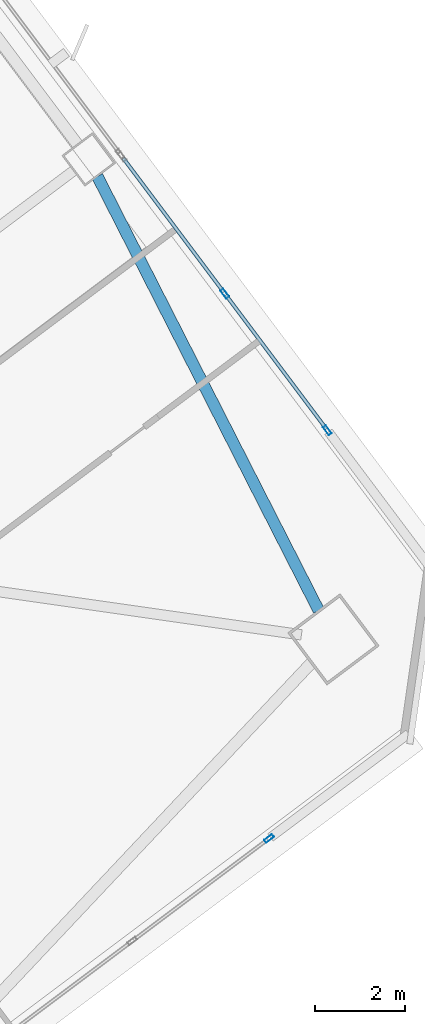
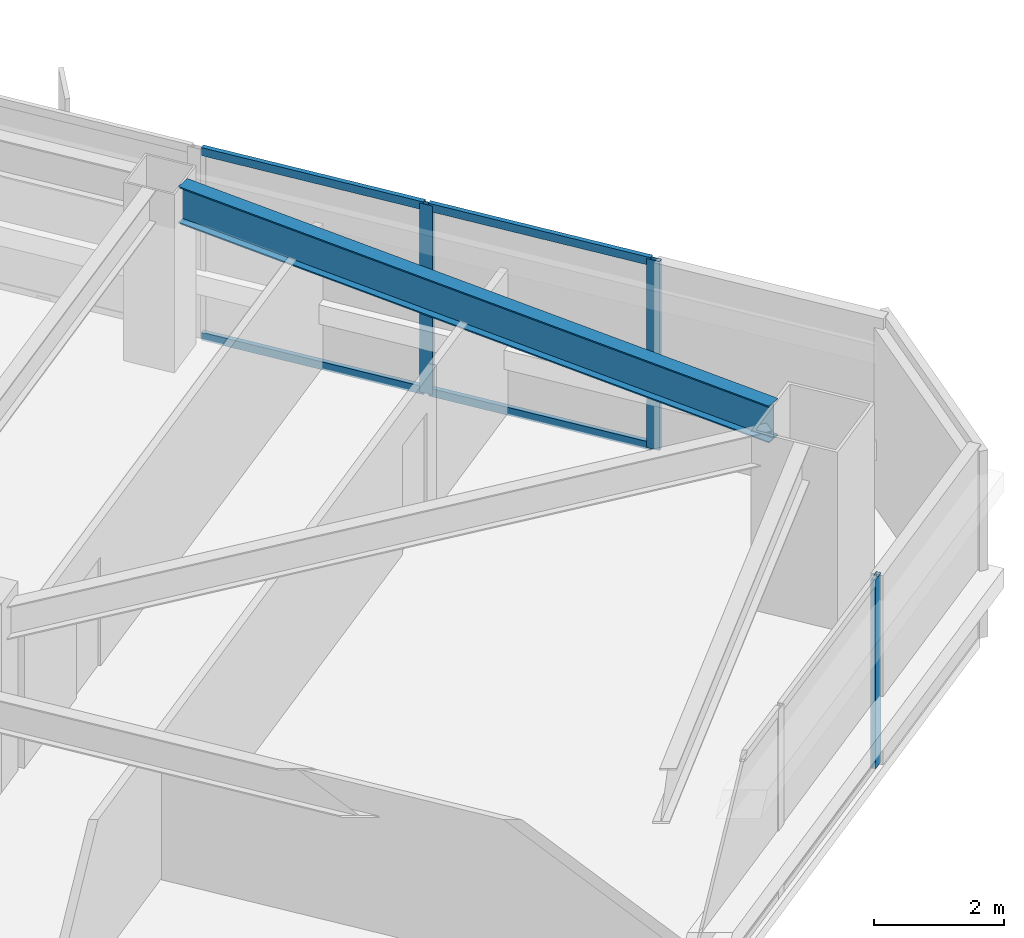
# One storey, part 28 of 49: 7 members, 1 beam, 2 elements without a shape of their own.
"""IFC4 building model written with IfcOpenShell, lengths in metres."""

from ifc_helpers import new_model, si_unit, direction, frame, origin, origin_2d, place, context, subcontext, project, spatial, hollow_rectangle, i_section, extrude, material, material_profile, profile_set, type_object, element, aggregate, save


model = new_model("IFC4")

# Units and contexts
model_context = context("Model", 3, precision=1e-05, world=origin(), true_north=direction((0.0, 1.0)))
body_context = subcontext(model_context, "Body", "Model", "MODEL_VIEW")
ifc_project = project(units=[si_unit("LENGTHUNIT", "METRE"), si_unit("AREAUNIT", "SQUARE_METRE"), si_unit("VOLUMEUNIT", "CUBIC_METRE"), si_unit("PLANEANGLEUNIT", "RADIAN"), si_unit("MASSUNIT", "GRAM", prefix="KILO")], contexts=[model_context])

# Site, building, storey
site_placement = place(None, origin())
site = spatial("IfcSite", under=ifc_project, at=site_placement, CompositionType="ELEMENT")
building_placement = place(site_placement, origin())
building = spatial("IfcBuilding", under=site, at=building_placement, Name="Tashvorn Skyway Center", CompositionType="ELEMENT")
storey_placement = place(building_placement, frame((0.0, 0.0, 70.75)))
storey = spatial("IfcBuildingStorey", under=building, at=storey_placement, Name="L18", CompositionType="ELEMENT", Elevation=70.75)

# Beam
ifc_material_1 = material(Name="Steel ASTM A992 Grade 50", Category="steel")
ifc_material_profile_1 = material_profile(ifc_material_1, i_section(OverallWidth=0.256103515625, OverallDepth=0.693115234375, WebThickness=0.014404296875, FlangeThickness=0.023681640625, at=origin_2d()), Name="W27X114")
ifc_profile_set_1 = profile_set([ifc_material_profile_1], Name="Steel ASTM A992 Grade 50")
beam_type = type_object("IfcBeamType", Name="BM-SPANDREL-W27X114", PredefinedType="SPANDREL", material=ifc_profile_set_1)
beam_placement = place(storey_placement, frame((137.7529296875, 29.201416015625, 3.00341796875), z_axis=(-0.454210938961, 0.890894170442, 0.0), x_axis=(-0.890894170442, -0.454210938961, 0.0)))
element("IfcBeam", 1, at=beam_placement, inside=storey, type_object=beam_type, Name="Tower 2 L18 Spandrel Beam 04", PredefinedType="SPANDREL", context=body_context, shape_type="SweptSolid", body=[
    extrude(i_section(OverallWidth=0.256103515625, OverallDepth=0.693115234375, WebThickness=0.014404296875, FlangeThickness=0.023681640625, at=origin_2d()), origin(), (0.0, 0.0, 1.0), 10.836669921875),
])

# Curtain wall, member
ifc_material_2 = material(Name="Thermally broken bronze-anodized aluminium 6063-T6", Category="aluminium")
curtain_wall_type = type_object("IfcCurtainWallType", Name="CW-CW-Z2", PredefinedType="NOTDEFINED", material=ifc_material_2)
curtain_wall_1_placement = place(storey_placement, origin())
curtain_wall_1 = element("IfcCurtainWall", 2, at=curtain_wall_1_placement, inside=storey, type_object=curtain_wall_type, Name="Tower 2 L18 South Unitised Curtain Wall Glazing Group 1", PredefinedType="NOTDEFINED")
ifc_material_profile_2 = material_profile(ifc_material_2, hollow_rectangle(XDim=0.080078125, YDim=0.219970703125, WallThickness=0.0048828125, at=origin_2d()), Name="ALU-MULL-80x220")
ifc_profile_set_2 = profile_set([ifc_material_profile_2], Name="Thermally broken bronze-anodized aluminium 6063-T6")
member_type_1 = type_object("IfcMemberType", Name="CWM-CW-Z2", PredefinedType="MULLION", material=ifc_profile_set_2)
member_1_placement = place(storey_placement, frame((136.64794921875, 24.135986328125, 0.0), z_axis=(0.0, 0.0, 1.0), x_axis=(0.600000000002, -0.799999999998, 0.0)))
member_1 = element("IfcMember", 3, at=member_1_placement, type_object=member_type_1, Name="CW-Z2 mullion 1", PredefinedType="MULLION", context=body_context, shape_type="SweptSolid", body=[
    extrude(hollow_rectangle(XDim=0.080078125, YDim=0.219970703125, WallThickness=0.0048828125, at=origin_2d()), origin(), (0.0, 0.0, 1.0), 3.550048828125),
])
aggregate(curtain_wall_1, [member_1])

# Curtain wall, members
curtain_wall_2_placement = place(storey_placement, origin())
curtain_wall_2 = element("IfcCurtainWall", 4, at=curtain_wall_2_placement, inside=storey, type_object=curtain_wall_type, Name="Tower 2 L18 East Unitised Curtain Wall Glazing Group 3", PredefinedType="NOTDEFINED")
member_2_placement = place(storey_placement, frame((135.6640625, 36.248046875, 0.0), z_axis=(0.0, 0.0, 1.0), x_axis=(0.799999999998, 0.600000000002, 0.0)))
member_2 = element("IfcMember", 5, at=member_2_placement, type_object=member_type_1, Name="CW-Z2 mullion 2", PredefinedType="MULLION", context=body_context, shape_type="SweptSolid", body=[
    extrude(hollow_rectangle(XDim=0.080078125, YDim=0.219970703125, WallThickness=0.0048828125, at=origin_2d()), origin(), (0.0, 0.0, 1.0), 3.550048828125),
])
member_3_placement = place(storey_placement, frame((137.944091796875, 33.2080078125, 0.0), z_axis=(0.0, 0.0, 1.0), x_axis=(0.799999999998, 0.600000000002, 0.0)))
member_3 = element("IfcMember", 6, at=member_3_placement, type_object=member_type_1, Name="CW-Z2 mullion 3", PredefinedType="MULLION", context=body_context, shape_type="SweptSolid", body=[
    extrude(hollow_rectangle(XDim=0.080078125, YDim=0.219970703125, WallThickness=0.0048828125, at=origin_2d()), origin(), (0.0, 0.0, 1.0), 3.550048828125),
])
ifc_material_profile_3 = material_profile(ifc_material_2, hollow_rectangle(XDim=0.080078125, YDim=0.14990234375, WallThickness=0.00439453125, at=origin_2d()), Name="ALU-TRAN-80x150")
ifc_profile_set_3 = profile_set([ifc_material_profile_3], Name="Thermally broken bronze-anodized aluminium 6063-T6")
member_type_2 = type_object("IfcMemberType", Name="CWT-CW-Z2", PredefinedType="USERDEFINED", material=ifc_profile_set_3)
member_4_placement = place(storey_placement, frame((133.407958984375, 39.256103515625, 0.0400390625), z_axis=(0.599978998559, -0.80001575065, 0.0), x_axis=(0.80001575065, 0.599978998559, 0.0)))
member_4 = element("IfcMember", 7, at=member_4_placement, type_object=member_type_2, Name="CW-Z2 transom 1.1", ObjectType="TRANSOM", PredefinedType="USERDEFINED", context=body_context, shape_type="SweptSolid", body=[
    extrude(hollow_rectangle(XDim=0.080078125, YDim=0.14990234375, WallThickness=0.00439453125, at=origin_2d()), origin(), (0.0, 0.0, 1.0), 3.719970703125),
])
member_5_placement = place(storey_placement, frame((133.407958984375, 39.256103515625, 3.510009765625), z_axis=(0.599978998559, -0.80001575065, 0.0), x_axis=(0.80001575065, 0.599978998559, 0.0)))
member_5 = element("IfcMember", 8, at=member_5_placement, type_object=member_type_2, Name="CW-Z2 transom 1.2", ObjectType="TRANSOM", PredefinedType="USERDEFINED", context=body_context, shape_type="SweptSolid", body=[
    extrude(hollow_rectangle(XDim=0.080078125, YDim=0.14990234375, WallThickness=0.00439453125, at=origin_2d()), origin(), (0.0, 0.0, 1.0), 3.719970703125),
])
member_6_placement = place(storey_placement, frame((135.68798828125, 36.216064453125, 0.0400390625), z_axis=(0.599978998559, -0.80001575065, 0.0), x_axis=(0.80001575065, 0.599978998559, 0.0)))
member_6 = element("IfcMember", 9, at=member_6_placement, type_object=member_type_2, Name="CW-Z2 transom 2.1", ObjectType="TRANSOM", PredefinedType="USERDEFINED", context=body_context, shape_type="SweptSolid", body=[
    extrude(hollow_rectangle(XDim=0.080078125, YDim=0.14990234375, WallThickness=0.00439453125, at=origin_2d()), origin(), (0.0, 0.0, 1.0), 3.719970703125),
])
member_7_placement = place(storey_placement, frame((135.68798828125, 36.216064453125, 3.510009765625), z_axis=(0.599978998559, -0.80001575065, 0.0), x_axis=(0.80001575065, 0.599978998559, 0.0)))
member_7 = element("IfcMember", 10, at=member_7_placement, type_object=member_type_2, Name="CW-Z2 transom 2.2", ObjectType="TRANSOM", PredefinedType="USERDEFINED", context=body_context, shape_type="SweptSolid", body=[
    extrude(hollow_rectangle(XDim=0.080078125, YDim=0.14990234375, WallThickness=0.00439453125, at=origin_2d()), origin(), (0.0, 0.0, 1.0), 3.719970703125),
])
aggregate(curtain_wall_2, [member_2, member_3, member_4, member_5, member_6, member_7])

save(model, "model.ifc")
